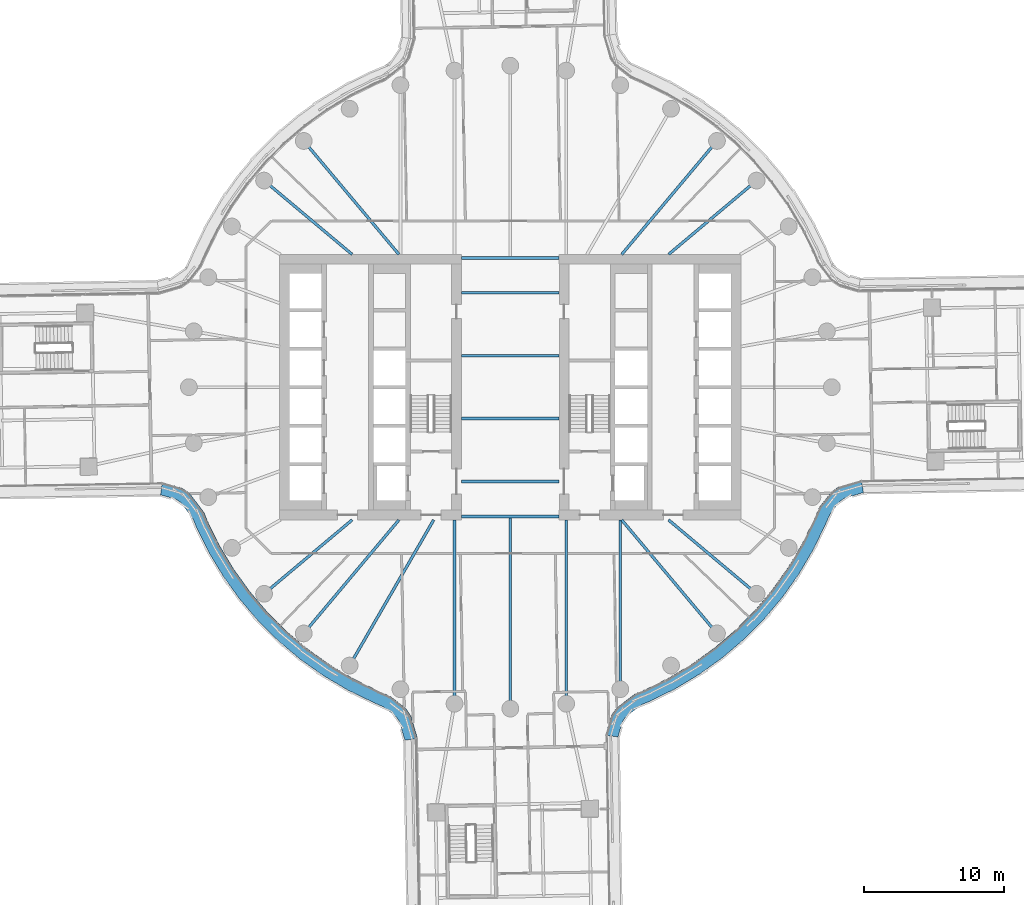
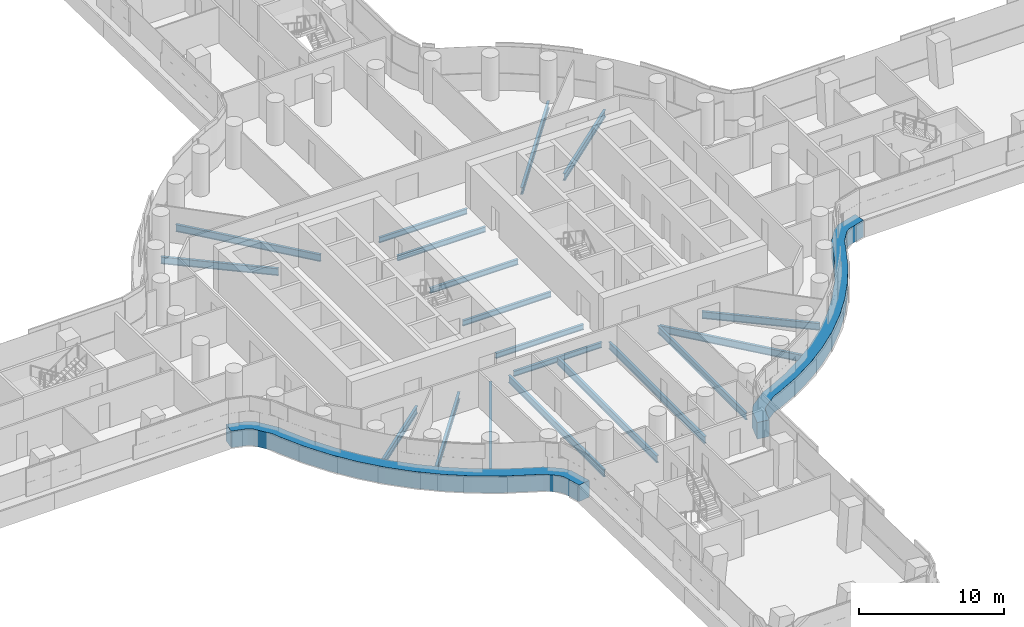
# One storey, part 8 of 31: 19 beams, 2 members, 2 elements without a shape of their own.
"""IFC4 building model written with IfcOpenShell, lengths in metres."""

from ifc_helpers import new_model, si_unit, direction, frame, origin, origin_2d, place, context, subcontext, project, spatial, polyline, i_section, outline, extrude, material, layer, layer_set, material_profile, profile_set, type_object, element, aggregate, save


model = new_model("IFC4")

# Units and contexts
model_context = context("Model", 3, precision=1e-05, world=origin(), true_north=direction((0.0, 1.0)))
body_context = subcontext(model_context, "Body", "Model", "MODEL_VIEW")
ifc_project = project(units=[si_unit("LENGTHUNIT", "METRE"), si_unit("AREAUNIT", "SQUARE_METRE"), si_unit("VOLUMEUNIT", "CUBIC_METRE"), si_unit("PLANEANGLEUNIT", "RADIAN"), si_unit("MASSUNIT", "GRAM", prefix="KILO")], contexts=[model_context])

# Site, building, storey
site_placement = place(None, origin())
site = spatial("IfcSite", under=ifc_project, at=site_placement, CompositionType="ELEMENT")
building_placement = place(site_placement, origin())
building = spatial("IfcBuilding", under=site, at=building_placement, Name="Tamarind Cross Interchange Tower", CompositionType="ELEMENT")
storey_placement = place(building_placement, frame((0.0, 0.0, 37.75)))
storey = spatial("IfcBuildingStorey", under=building, at=storey_placement, Name="L07", CompositionType="ELEMENT", Elevation=37.75)

# Beams
ifc_material_1 = material(Name="Steel Q355B", Category="steel")
ifc_material_profile_1 = material_profile(ifc_material_1, i_section(OverallWidth=0.198974609375, OverallDepth=0.446044921875, WebThickness=0.008056640625, FlangeThickness=0.011962890625, FilletRadius=0.012939453125, at=origin_2d()), Name="HN 446x199x8x12")
ifc_profile_set_1 = profile_set([ifc_material_profile_1], Name="Steel Q355B")
beam_type_1 = type_object("IfcBeamType", Name="Composite beam HN 446x199x8x12 Q355B", PredefinedType="BEAM", material=ifc_profile_set_1)
for number, where, z_axis, x_axis, name in (
    (1, (-3.5, -2.25, -0.363037109375), (1.0, 0.0, 0.0), (0.0, 1.0, 0.0), "Beam G-2.25"),
    (2, (-3.5, -6.75, -0.363037109375), (1.0, 0.0, 0.0), (0.0, 1.0, 0.0), "Beam G-6.75"),
    (3, (-3.5, -9.25, -0.363037109375), (1.0, 0.0, 0.0), (0.0, 1.0, 0.0), "Beam G-9.25"),
    (4, (-3.5, 2.25, -0.363037109375), (1.0, 0.0, 0.0), (0.0, 1.0, 0.0), "Beam G2.25"),
    (5, (-3.5, 6.75, -0.363037109375), (1.0, 0.0, 0.0), (0.0, 1.0, 0.0), "Beam G6.75"),
    (6, (-3.5, 9.25, -0.363037109375), (1.0, 0.0, 0.0), (0.0, 1.0, 0.0), "Beam G9.25"),
):
    element("IfcBeam", number, at=place(storey_placement, frame(where, z_axis=z_axis, x_axis=x_axis)), inside=storey, type_object=beam_type_1, Name=name, PredefinedType="BEAM", context=body_context, shape_type="SweptSolid", body=[
        extrude(i_section(OverallWidth=0.198974609375, OverallDepth=0.446044921875, WebThickness=0.008056640625, FlangeThickness=0.011962890625, FilletRadius=0.012939453125, at=origin_2d()), origin(), (0.0, 0.0, 1.0), 7.0),
    ])
ifc_material_profile_2 = material_profile(ifc_material_1, i_section(OverallWidth=0.198974609375, OverallDepth=0.595947265625, WebThickness=0.010009765625, FlangeThickness=0.014892578125, FilletRadius=0.012939453125, at=origin_2d()), Name="HN 596x199x10x15")
ifc_profile_set_2 = profile_set([ifc_material_profile_2], Name="Steel Q355B")
beam_type_2 = type_object("IfcBeamType", Name="Composite beam HN 596x199x10x15 Q355B", PredefinedType="BEAM", material=ifc_profile_set_2)
beam_1_placement = place(storey_placement, frame((17.619140625, 14.7841796875, -0.43798828125), z_axis=(-0.766040580814, -0.642792212574, 0.0), x_axis=(0.642792212574, -0.766040580814, 0.0)))
element("IfcBeam", 7, at=beam_1_placement, inside=storey, type_object=beam_type_2, Name="Beam HH04", PredefinedType="BEAM", context=body_context, shape_type="SweptSolid", body=[
    extrude(i_section(OverallWidth=0.198974609375, OverallDepth=0.595947265625, WebThickness=0.010009765625, FlangeThickness=0.014892578125, FilletRadius=0.012939453125, at=origin_2d()), origin(), (0.0, 0.0, 1.0), 8.220703125),
])
for number, where, z_axis, x_axis, name in (
    (8, (14.7841796875, 17.619140625, -0.43798828125), (-0.642786293979, -0.766045547127, 0.0), (0.766045547127, -0.642786293979, 0.0), "Beam HH05"),
    (9, (-14.7841796875, 17.619140625, -0.43798828125), (0.642786293979, -0.766045547127, 0.0), (0.766045547127, 0.642786293979, 0.0), "Beam HH13"),
):
    element("IfcBeam", number, at=place(storey_placement, frame(where, z_axis=z_axis, x_axis=x_axis)), inside=storey, type_object=beam_type_2, Name=name, PredefinedType="BEAM", context=body_context, shape_type="SweptSolid", body=[
        extrude(i_section(OverallWidth=0.198974609375, OverallDepth=0.595947265625, WebThickness=0.010009765625, FlangeThickness=0.014892578125, FilletRadius=0.012939453125, at=origin_2d()), origin(), (0.0, 0.0, 1.0), 10.598876953125),
    ])
for number, where, z_axis, x_axis, name in (
    (10, (-17.619140625, 14.7841796875, -0.43798828125), (0.766040580814, -0.642792212574, 0.0), (0.642792212574, 0.766040580814, 0.0), "Beam HH14"),
    (11, (-17.619140625, -14.7841796875, -0.43798828125), (0.766040580814, 0.642792212574, 0.0), (-0.642792212574, 0.766040580814, 0.0), "Beam HH22"),
):
    element("IfcBeam", number, at=place(storey_placement, frame(where, z_axis=z_axis, x_axis=x_axis)), inside=storey, type_object=beam_type_2, Name=name, PredefinedType="BEAM", context=body_context, shape_type="SweptSolid", body=[
        extrude(i_section(OverallWidth=0.198974609375, OverallDepth=0.595947265625, WebThickness=0.010009765625, FlangeThickness=0.014892578125, FilletRadius=0.012939453125, at=origin_2d()), origin(), (0.0, 0.0, 1.0), 8.220703125),
    ])
beam_2_placement = place(storey_placement, frame((-14.7841796875, -17.619140625, -0.43798828125), z_axis=(0.642786293979, 0.766045547127, 0.0), x_axis=(-0.766045547127, 0.642786293979, 0.0)))
element("IfcBeam", 12, at=beam_2_placement, inside=storey, type_object=beam_type_2, Name="Beam HH23", PredefinedType="BEAM", context=body_context, shape_type="SweptSolid", body=[
    extrude(i_section(OverallWidth=0.198974609375, OverallDepth=0.595947265625, WebThickness=0.010009765625, FlangeThickness=0.014892578125, FilletRadius=0.012939453125, at=origin_2d()), origin(), (0.0, 0.0, 1.0), 10.598876953125),
])
beam_3_placement = place(storey_placement, frame((-11.5, -19.918701171875, -0.43798828125), z_axis=(0.499993565836, 0.866029118519, 0.0), x_axis=(-0.866029118519, 0.499993565836, 0.0)))
element("IfcBeam", 13, at=beam_3_placement, inside=storey, type_object=beam_type_2, Name="Beam HH24", PredefinedType="BEAM", context=body_context, shape_type="SweptSolid", body=[
    extrude(i_section(OverallWidth=0.198974609375, OverallDepth=0.595947265625, WebThickness=0.010009765625, FlangeThickness=0.014892578125, FilletRadius=0.012939453125, at=origin_2d()), origin(), (0.0, 0.0, 1.0), 12.030517578125),
])
beam_4_placement = place(storey_placement, frame((-3.993896484375, -22.650634765625, -0.43798828125), z_axis=(0.0, 1.0, 0.0), x_axis=(-1.0, 0.0, 0.0)))
element("IfcBeam", 14, at=beam_4_placement, inside=storey, type_object=beam_type_2, Name="Beam HH26", PredefinedType="BEAM", context=body_context, shape_type="SweptSolid", body=[
    extrude(i_section(OverallWidth=0.198974609375, OverallDepth=0.595947265625, WebThickness=0.010009765625, FlangeThickness=0.014892578125, FilletRadius=0.012939453125, at=origin_2d()), origin(), (0.0, 0.0, 1.0), 13.150634765625),
])
beam_5_placement = place(storey_placement, frame((0.0, -23.0, -0.43798828125), z_axis=(0.0, 1.0, 0.0), x_axis=(-1.0, 0.0, 0.0)))
element("IfcBeam", 15, at=beam_5_placement, inside=storey, type_object=beam_type_2, Name="Beam HH27", PredefinedType="BEAM", context=body_context, shape_type="SweptSolid", body=[
    extrude(i_section(OverallWidth=0.198974609375, OverallDepth=0.595947265625, WebThickness=0.010009765625, FlangeThickness=0.014892578125, FilletRadius=0.012939453125, at=origin_2d()), origin(), (0.0, 0.0, 1.0), 13.75),
])
beam_6_placement = place(storey_placement, frame((3.993896484375, -22.650634765625, -0.43798828125), z_axis=(0.0, 1.0, 0.0), x_axis=(-1.0, 0.0, 0.0)))
element("IfcBeam", 16, at=beam_6_placement, inside=storey, type_object=beam_type_2, Name="Beam HH28", PredefinedType="BEAM", context=body_context, shape_type="SweptSolid", body=[
    extrude(i_section(OverallWidth=0.198974609375, OverallDepth=0.595947265625, WebThickness=0.010009765625, FlangeThickness=0.014892578125, FilletRadius=0.012939453125, at=origin_2d()), origin(), (0.0, 0.0, 1.0), 13.150634765625),
])
beam_7_placement = place(storey_placement, frame((7.866455078125, -21.613037109375, -0.43798828125), z_axis=(0.0, 1.0, 0.0), x_axis=(-1.0, 0.0, 0.0)))
element("IfcBeam", 17, at=beam_7_placement, inside=storey, type_object=beam_type_2, Name="Beam HH29", PredefinedType="BEAM", context=body_context, shape_type="SweptSolid", body=[
    extrude(i_section(OverallWidth=0.198974609375, OverallDepth=0.595947265625, WebThickness=0.010009765625, FlangeThickness=0.014892578125, FilletRadius=0.012939453125, at=origin_2d()), origin(), (0.0, 0.0, 1.0), 12.113037109375),
])
beam_8_placement = place(storey_placement, frame((14.7841796875, -17.619140625, -0.43798828125), z_axis=(-0.642786293979, 0.766045547127, 0.0), x_axis=(-0.766045547127, -0.642786293979, 0.0)))
element("IfcBeam", 18, at=beam_8_placement, inside=storey, type_object=beam_type_2, Name="Beam HH31", PredefinedType="BEAM", context=body_context, shape_type="SweptSolid", body=[
    extrude(i_section(OverallWidth=0.198974609375, OverallDepth=0.595947265625, WebThickness=0.010009765625, FlangeThickness=0.014892578125, FilletRadius=0.012939453125, at=origin_2d()), origin(), (0.0, 0.0, 1.0), 10.598876953125),
])
beam_9_placement = place(storey_placement, frame((17.619140625, -14.7841796875, -0.43798828125), z_axis=(-0.766040580814, 0.642792212574, 0.0), x_axis=(-0.642792212574, -0.766040580814, 0.0)))
element("IfcBeam", 19, at=beam_9_placement, inside=storey, type_object=beam_type_2, Name="Beam HH32", PredefinedType="BEAM", context=body_context, shape_type="SweptSolid", body=[
    extrude(i_section(OverallWidth=0.198974609375, OverallDepth=0.595947265625, WebThickness=0.010009765625, FlangeThickness=0.014892578125, FilletRadius=0.012939453125, at=origin_2d()), origin(), (0.0, 0.0, 1.0), 8.220703125),
])

# Curtain wall, member
ifc_material_2 = material(Name="Aluminium 6063-T6", Category="aluminium")
ifc_layer = layer(ifc_material_2, 0.159912109375)
ifc_layer_set = layer_set([ifc_layer], Name="Aluminium 6063-T6")
curtain_wall_type = type_object("IfcCurtainWallType", Name="Office curtain wall, 9.0 m bays", PredefinedType="NOTDEFINED", material=ifc_layer_set)
curtain_wall_1_placement = place(storey_placement, origin())
curtain_wall_1 = element("IfcCurtainWall", 20, at=curtain_wall_1_placement, inside=storey, type_object=curtain_wall_type, Name="CWS-L07-06", PredefinedType="NOTDEFINED")
ifc_material_3 = material(Name="Aluminium and insulated spandrel panel", Category="aluminium")
member_type = type_object("IfcMemberType", Name="Floor-edge blade transom", PredefinedType="USERDEFINED", material=ifc_material_3)
member_1_placement = place(storey_placement, origin())
member_1 = element("IfcMember", 21, at=member_1_placement, type_object=member_type, Name="CWT-L07-06", ObjectType="TRANSOM", PredefinedType="USERDEFINED", context=body_context, shape_type="SweptSolid", body=[
    extrude(outline(polyline([(-24.904052734375, -6.7998046875), (-23.531982421875, -7.203369140625), (-22.966064453125, -7.58251953125), (-21.923095703125, -8.958984375), (-21.6591796875, -9.610595703125), (-20.791015625, -11.367431640625), (-19.78125, -13.045654296875), (-18.636474609375, -14.634521484375), (-17.3642578125, -16.12353515625), (-15.973388671875, -17.50244140625), (-14.4736328125, -18.76171875), (-12.874755859375, -19.892822265625), (-11.188232421875, -20.88818359375), (-9.417724609375, -21.744140625), (-8.582275390625, -22.117919921875), (-7.496826171875, -22.972900390625), (-7.118408203125, -23.516357421875), (-6.64404296875, -25.127197265625), (-7.541748046875, -25.264892578125), (-7.9404296875, -23.910888671875), (-8.158935546875, -23.59716796875), (-9.0517578125, -22.89404296875), (-9.797607421875, -22.56005859375), (-11.613525390625, -21.68212890625), (-13.3642578125, -20.64892578125), (-15.023681640625, -19.474853515625), (-16.580810546875, -18.167724609375), (-18.0244140625, -16.736572265625), (-19.344970703125, -15.19091796875), (-20.533203125, -13.54150390625), (-21.581298828125, -11.799560546875), (-22.48095703125, -9.9794921875), (-22.71240234375, -9.407470703125), (-23.59228515625, -8.246337890625), (-23.91845703125, -8.02783203125), (-25.026611328125, -7.701904296875), (-24.904052734375, -6.7998046875)])), origin(), (0.0, 0.0, 1.0), 1.39990234375),
])
aggregate(curtain_wall_1, [member_1])

curtain_wall_2_placement = place(storey_placement, origin())
curtain_wall_2 = element("IfcCurtainWall", 22, at=curtain_wall_2_placement, inside=storey, type_object=curtain_wall_type, Name="CWS-L07-10", PredefinedType="NOTDEFINED")
member_2_placement = place(storey_placement, origin())
member_2 = element("IfcMember", 23, at=member_2_placement, type_object=member_type, Name="CWT-L07-10", ObjectType="TRANSOM", PredefinedType="USERDEFINED", context=body_context, shape_type="SweptSolid", body=[
    extrude(outline(polyline([(6.7998046875, -24.904052734375), (7.203369140625, -23.531982421875), (7.58251953125, -22.966064453125), (8.958984375, -21.923095703125), (9.610595703125, -21.6591796875), (11.367431640625, -20.791015625), (13.045654296875, -19.78125), (14.634521484375, -18.636474609375), (16.12353515625, -17.3642578125), (17.50244140625, -15.973388671875), (18.76171875, -14.4736328125), (19.892822265625, -12.874755859375), (20.88818359375, -11.188232421875), (21.744140625, -9.417724609375), (22.117919921875, -8.582275390625), (22.972900390625, -7.496826171875), (23.516357421875, -7.118408203125), (25.127197265625, -6.64404296875), (25.264892578125, -7.541748046875), (23.910888671875, -7.9404296875), (23.59716796875, -8.158935546875), (22.89404296875, -9.0517578125), (22.56005859375, -9.797607421875), (21.68212890625, -11.613525390625), (20.64892578125, -13.3642578125), (19.474853515625, -15.023681640625), (18.167724609375, -16.580810546875), (16.736572265625, -18.0244140625), (15.19091796875, -19.344970703125), (13.54150390625, -20.533203125), (11.799560546875, -21.581298828125), (9.9794921875, -22.48095703125), (9.407470703125, -22.71240234375), (8.246337890625, -23.59228515625), (8.02783203125, -23.91845703125), (7.701904296875, -25.026611328125), (6.7998046875, -24.904052734375)])), origin(), (0.0, 0.0, 1.0), 1.39990234375),
])
aggregate(curtain_wall_2, [member_2])

save(model, "model.ifc")
